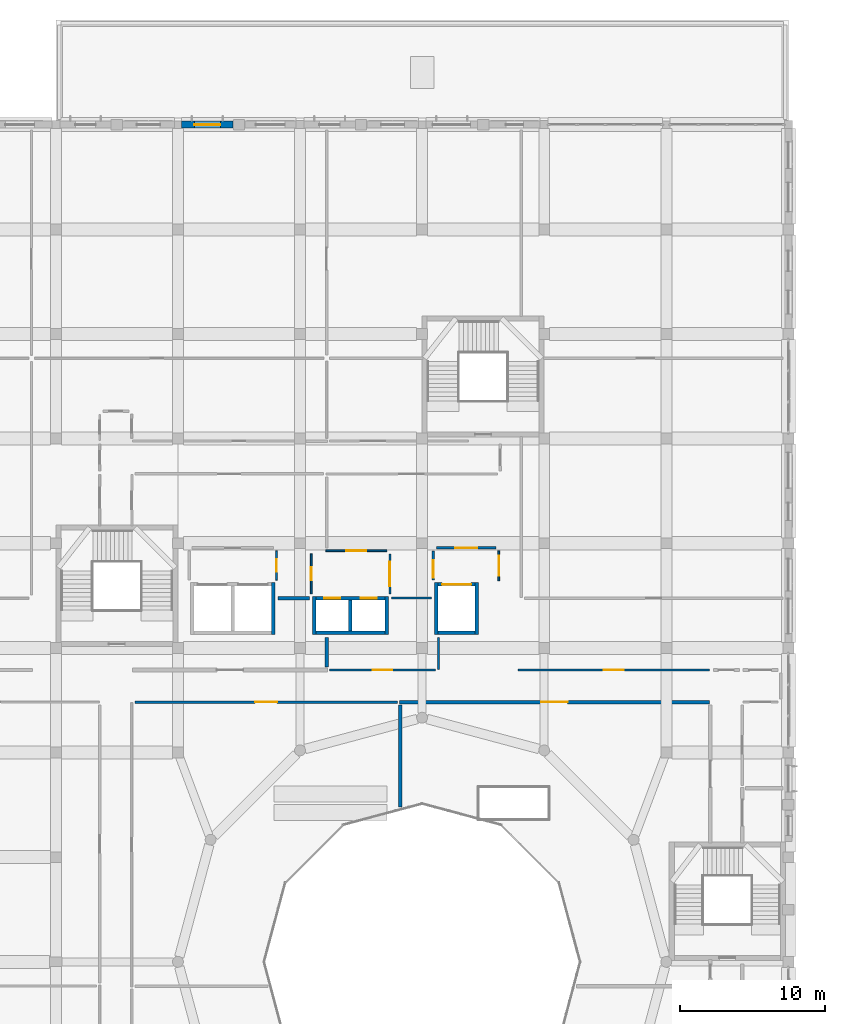
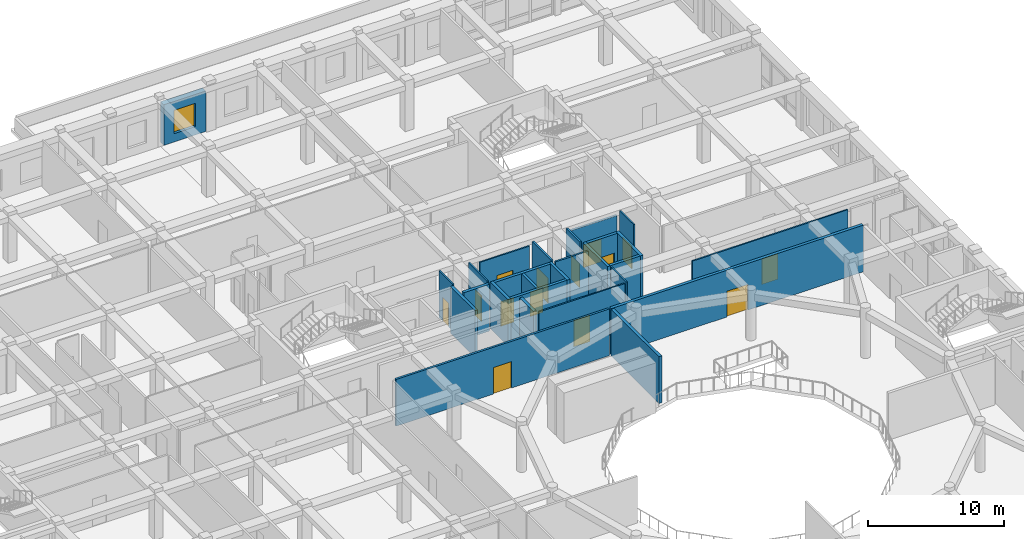
# One storey, part 68 of 111: 27 walls, 14 doors, 1 window, 15 openings.
"""IFC4 building model written with IfcOpenShell, lengths in metres."""

from ifc_helpers import new_model, si_unit, derived_unit, direction, frame, frame_2d, origin, place, context, subcontext, project, spatial, rectangle, extrude, material, layer, layer_set, type_object, element, fill, save


model = new_model("IFC4")

# Units and contexts
model_context = context("Model", 3, precision=1e-05, world=origin(), true_north=direction((0.0, 1.0)))
body_context = subcontext(model_context, "Body", "Model", "MODEL_VIEW")
ifc_project = project(units=[si_unit("LENGTHUNIT", "METRE"), si_unit("AREAUNIT", "SQUARE_METRE"), si_unit("VOLUMEUNIT", "CUBIC_METRE"), si_unit("PLANEANGLEUNIT", "RADIAN"), si_unit("MASSUNIT", "GRAM", prefix="KILO"), derived_unit("THERMALTRANSMITTANCEUNIT", [(si_unit("POWERUNIT", "WATT"), 1), (si_unit("LENGTHUNIT", "METRE"), -2), (si_unit("THERMODYNAMICTEMPERATUREUNIT", "KELVIN"), -1)])], contexts=[model_context])

# Site, building, storey
site_placement = place(None, origin())
site = spatial("IfcSite", under=ifc_project, at=site_placement, CompositionType="ELEMENT")
building_placement = place(site_placement, origin())
building = spatial("IfcBuilding", under=site, at=building_placement, Name="Veybourne Emporium", CompositionType="ELEMENT")
storey_placement = place(building_placement, frame((0.0, 0.0, 9.89990234375)))
storey = spatial("IfcBuildingStorey", under=building, at=storey_placement, Name="L02", CompositionType="ELEMENT", Elevation=9.89990234375)

# Wall, opening, window
ifc_material_1 = material(Name="Portland Limestone Ashlar", Category="masonry")
ifc_layer_1 = layer(ifc_material_1, 0.47998046875)
ifc_layer_set_1 = layer_set([ifc_layer_1], Name="Portland Limestone Ashlar")
wall_type_1 = type_object("IfcWallType", Name="ExtWall_EW-01", PredefinedType="SOLIDWALL", material=ifc_layer_set_1)
wall_1_placement = place(storey_placement, frame((59.050048828125, 108.0, 0.0), z_axis=(0.0, 0.0, 1.0), x_axis=(1.0, 0.0, 0.0)))
wall_1 = element("IfcWall", 1, at=wall_1_placement, inside=storey, type_object=wall_type_1, Name="L02 Portland stone external wall 034A", PredefinedType="SOLIDWALL", context=body_context, shape_type="SweptSolid", body=[
    extrude(rectangle(XDim=3.550048828125, YDim=0.47998046875, at=frame_2d((1.77490234375, 0.0))), origin(), (0.0, 0.0, 1.0), 3.630126953125),
])
opening_1_placement = place(wall_1_placement, frame((0.875, 0.0, 0.75)))
opening_1 = element("IfcOpeningElement", 2, at=opening_1_placement, cuts=wall_1, Name="Opening W-12", PredefinedType="OPENING", context=body_context, shape_type="SweptSolid", body=[
    extrude(rectangle(XDim=1.800048828125, YDim=2.080078125, at=frame_2d((0.89990234375, 1.0400390625))), frame((0.0, 0.260009765625, 0.0), z_axis=(0.0, -1.0, 0.0), x_axis=(1.0, 0.0, 0.0)), (0.0, 0.0, 1.0), 0.52001953125),
])
ifc_material_2 = material(Name="Low-E Triple Glazing", Category="glass")
window_type = type_object("IfcWindowType", Name="Win_W-12", PartitioningType="DOUBLE_PANEL_VERTICAL", PredefinedType="WINDOW", material=ifc_material_2)
window_placement = place(opening_1_placement, origin())
window = element("IfcWindow", 3, at=window_placement, inside=storey, type_object=window_type, Name="L02 tripartite bronze casement window W-12 (34A)", OverallHeight=2.080078125, OverallWidth=1.800048828125, PartitioningType="DOUBLE_PANEL_VERTICAL", PredefinedType="WINDOW", context=body_context, shape_type="SweptSolid", body=[
    extrude(rectangle(XDim=1.800048828125, YDim=2.080078125, at=frame_2d((0.89990234375, 1.0400390625))), frame((0.0, 0.030029296875, 0.0), z_axis=(0.0, -1.0, 0.0), x_axis=(1.0, 0.0, 0.0)), (0.0, 0.0, 1.0), 0.06005859375),
])
fill(opening_1, window)

# Wall, openings, doors
ifc_material_3 = material(Name="Concrete C40/50", Category="concrete")
ifc_layer_2 = layer(ifc_material_3, 0.239990234375)
ifc_layer_set_2 = layer_set([ifc_layer_2], Name="Concrete C40/50")
wall_type_2 = type_object("IfcWallType", Name="IntWall_CW-04", PredefinedType="SHEAR", material=ifc_layer_set_2)
wall_2_placement = place(storey_placement, frame((73.0400390625, 75.419921875, 0.0), z_axis=(0.0, 0.0, 1.0), x_axis=(-1.0, 0.0, 0.0)))
wall_2 = element("IfcWall", 4, at=wall_2_placement, inside=storey, type_object=wall_type_2, Name="Lift core C4P north shaft wall (L02)", PredefinedType="SHEAR", context=body_context, shape_type="SweptSolid", body=[
    extrude(rectangle(XDim=4.739990234375, YDim=0.239990234375, at=frame_2d((2.3701171875, 0.0))), origin(), (0.0, 0.0, 1.0), 4.18017578125),
])
opening_2_placement = place(wall_2_placement, frame((3.06494140625, 0.0, 0.0)))
opening_2 = element("IfcOpeningElement", 5, at=opening_2_placement, cuts=wall_2, Name="Opening LD-01", PredefinedType="OPENING", context=body_context, shape_type="SweptSolid", body=[
    extrude(rectangle(XDim=1.10009765625, YDim=2.199951171875, at=frame_2d((0.550048828125, 1.10009765625))), frame((0.0, 0.14013671875, 0.0), z_axis=(0.0, -1.0, 0.0), x_axis=(1.0, 0.0, 0.0)), (0.0, 0.0, 1.0), 0.280029296875),
])
opening_3_placement = place(wall_2_placement, frame((0.574951171875, 0.0, 0.0)))
opening_3 = element("IfcOpeningElement", 6, at=opening_3_placement, cuts=wall_2, Name="Opening LD-01", PredefinedType="OPENING", context=body_context, shape_type="SweptSolid", body=[
    extrude(rectangle(XDim=1.10009765625, YDim=2.199951171875, at=frame_2d((0.550048828125, 1.10009765625))), frame((0.0, 0.14013671875, 0.0), z_axis=(0.0, -1.0, 0.0), x_axis=(1.0, 0.0, 0.0)), (0.0, 0.0, 1.0), 0.280029296875),
])
ifc_material_4 = material(Name="Patinated Architectural Bronze", Category="bronze")
door_type_1 = type_object("IfcDoorType", Name="FireDoor_LD-01", OperationType="DOUBLE_DOOR_SLIDING", PredefinedType="DOOR", material=ifc_material_4)
door_1_placement = place(opening_2_placement, origin())
door_1 = element("IfcDoor", 7, at=door_1_placement, inside=storey, type_object=door_type_1, Name="Lift PL-05 sliding landing door (L02)", OperationType="DOUBLE_DOOR_SLIDING", OverallHeight=2.199951171875, OverallWidth=1.10009765625, PredefinedType="DOOR", context=body_context, shape_type="SweptSolid", body=[
    extrude(rectangle(XDim=1.10009765625, YDim=2.199951171875, at=frame_2d((0.550048828125, 1.10009765625))), frame((0.0, 0.02490234375, 0.0), z_axis=(0.0, -1.0, 0.0), x_axis=(1.0, 0.0, 0.0)), (0.0, 0.0, 1.0), 0.050048828125),
])
fill(opening_2, door_1)
door_2_placement = place(opening_3_placement, origin())
door_2 = element("IfcDoor", 8, at=door_2_placement, inside=storey, type_object=door_type_1, Name="Lift PL-06 sliding landing door (L02)", OperationType="DOUBLE_DOOR_SLIDING", OverallHeight=2.199951171875, OverallWidth=1.10009765625, PredefinedType="DOOR", context=body_context, shape_type="SweptSolid", body=[
    extrude(rectangle(XDim=1.10009765625, YDim=2.199951171875, at=frame_2d((0.550048828125, 1.10009765625))), frame((0.0, 0.02490234375, 0.0), z_axis=(0.0, -1.0, 0.0), x_axis=(1.0, 0.0, 0.0)), (0.0, 0.0, 1.0), 0.050048828125),
])
fill(opening_3, door_2)

# Walls
wall_3_placement = place(storey_placement, frame((68.300048828125, 73.030029296875, 0.0), z_axis=(0.0, 0.0, 1.0), x_axis=(1.0, 0.0, 0.0)))
element("IfcWall", 9, at=wall_3_placement, inside=storey, type_object=wall_type_2, Name="Lift core C4P south shaft wall (L02)", PredefinedType="SHEAR", context=body_context, shape_type="SweptSolid", body=[
    extrude(rectangle(XDim=4.739990234375, YDim=0.239990234375, at=frame_2d((2.3701171875, 0.0))), origin(), (0.0, 0.0, 1.0), 4.18017578125),
])
for number, where, z_axis, x_axis, name in (
    (10, (68.179931640625, 75.5400390625, 0.0), (0.0, 0.0, 1.0), (0.0, -1.0, 0.0), "Lift core C4P west shaft wall (L02)"),
    (11, (73.159912109375, 72.909912109375, 0.0), (0.0, 0.0, 1.0), (0.0, 1.0, 0.0), "Lift core C4P east shaft wall (L02)"),
):
    element("IfcWall", number, at=place(storey_placement, frame(where, z_axis=z_axis, x_axis=x_axis)), inside=storey, type_object=wall_type_2, Name=name, PredefinedType="SHEAR", context=body_context, shape_type="SweptSolid", body=[
        extrude(rectangle(XDim=2.630126953125, YDim=0.239990234375, at=frame_2d((1.31494140625, 0.0))), origin(), (0.0, 0.0, 1.0), 4.18017578125),
    ])
wall_4_placement = place(storey_placement, frame((70.669921875, 73.14990234375, 0.0), z_axis=(0.0, 0.0, 1.0), x_axis=(0.0, 1.0, 0.0)))
element("IfcWall", 12, at=wall_4_placement, inside=storey, type_object=wall_type_2, Name="Lift core C4P divider wall 1 (L02)", PredefinedType="SHEAR", context=body_context, shape_type="SweptSolid", body=[
    extrude(rectangle(XDim=2.150146484375, YDim=0.239990234375, at=frame_2d((1.0751953125, 0.0))), origin(), (0.0, 0.0, 1.0), 4.18017578125),
])
wall_5_placement = place(storey_placement, frame((65.360107421875, 72.909912109375, 0.0), z_axis=(0.0, 0.0, 1.0), x_axis=(0.0, 1.0, 0.0)))
element("IfcWall", 13, at=wall_5_placement, inside=storey, type_object=wall_type_2, Name="Lift core C4G east shaft wall (L02)", PredefinedType="SHEAR", context=body_context, shape_type="SweptSolid", body=[
    extrude(rectangle(XDim=3.580078125, YDim=0.239990234375, at=frame_2d((1.7900390625, 0.0))), origin(), (0.0, 0.0, 1.0), 4.18017578125),
])

# Wall, opening, door
wall_6_placement = place(storey_placement, frame((79.25, 76.3701171875, 0.0), z_axis=(0.0, 0.0, 1.0), x_axis=(-1.0, 0.0, 0.0)))
wall_6 = element("IfcWall", 14, at=wall_6_placement, inside=storey, type_object=wall_type_2, Name="Lift core C4E north shaft wall (L02)", PredefinedType="SHEAR", context=body_context, shape_type="SweptSolid", body=[
    extrude(rectangle(XDim=2.550048828125, YDim=0.239990234375, at=frame_2d((1.27490234375, 0.0))), origin(), (0.0, 0.0, 1.0), 4.18017578125),
])
opening_4_placement = place(wall_6_placement, frame((0.27490234375, 0.0, 0.0)))
opening_4 = element("IfcOpeningElement", 15, at=opening_4_placement, cuts=wall_6, Name="Opening LD-03", PredefinedType="OPENING", context=body_context, shape_type="SweptSolid", body=[
    extrude(rectangle(XDim=2.0, YDim=2.5, at=frame_2d((1.0, 1.25))), frame((0.0, 0.14013671875, 0.0), z_axis=(0.0, -1.0, 0.0), x_axis=(1.0, 0.0, 0.0)), (0.0, 0.0, 1.0), 0.280029296875),
])
door_type_2 = type_object("IfcDoorType", Name="FireDoor_LD-03", OperationType="DOUBLE_DOOR_SLIDING", PredefinedType="DOOR", material=ifc_material_4)
door_3_placement = place(opening_4_placement, origin())
door_3 = element("IfcDoor", 16, at=door_3_placement, inside=storey, type_object=door_type_2, Name="Lift GL-03 sliding landing door (L02)", OperationType="DOUBLE_DOOR_SLIDING", OverallHeight=2.5, OverallWidth=2.0, PredefinedType="DOOR", context=body_context, shape_type="SweptSolid", body=[
    extrude(rectangle(XDim=2.0, YDim=2.5, at=frame_2d((1.0, 1.25))), frame((0.0, 0.02490234375, 0.0), z_axis=(0.0, -1.0, 0.0), x_axis=(1.0, 0.0, 0.0)), (0.0, 0.0, 1.0), 0.050048828125),
])
fill(opening_4, door_3)

# Walls
wall_7_placement = place(storey_placement, frame((76.699951171875, 73.030029296875, 0.0), z_axis=(0.0, 0.0, 1.0), x_axis=(1.0, 0.0, 0.0)))
element("IfcWall", 17, at=wall_7_placement, inside=storey, type_object=wall_type_2, Name="Lift core C4E south shaft wall (L02)", PredefinedType="SHEAR", context=body_context, shape_type="SweptSolid", body=[
    extrude(rectangle(XDim=2.550048828125, YDim=0.239990234375, at=frame_2d((1.27490234375, 0.0))), origin(), (0.0, 0.0, 1.0), 4.18017578125),
])
for number, where, z_axis, x_axis, name in (
    (18, (76.580078125, 76.489990234375, 0.0), (0.0, 0.0, 1.0), (0.0, -1.0, 0.0), "Lift core C4E west shaft wall (L02)"),
    (19, (79.3701171875, 72.909912109375, 0.0), (0.0, 0.0, 1.0), (0.0, 1.0, 0.0), "Lift core C4E east shaft wall (L02)"),
):
    element("IfcWall", number, at=place(storey_placement, frame(where, z_axis=z_axis, x_axis=x_axis)), inside=storey, type_object=wall_type_2, Name=name, PredefinedType="SHEAR", context=body_context, shape_type="SweptSolid", body=[
        extrude(rectangle(XDim=3.580078125, YDim=0.239990234375, at=frame_2d((1.7900390625, 0.0))), origin(), (0.0, 0.0, 1.0), 4.18017578125),
    ])

# Wall, opening, door
ifc_material_5 = material(Name="Concrete C32/40", Category="concrete")
ifc_layer_3 = layer(ifc_material_5, 0.25)
ifc_layer_set_3 = layer_set([ifc_layer_3], Name="Concrete C32/40")
wall_type_3 = type_object("IfcWallType", Name="IntWall_FW-01", PredefinedType="SOLIDWALL", material=ifc_layer_set_3)
wall_8_placement = place(storey_placement, frame((74.054931640625, 68.27001953125, 0.0), z_axis=(0.0, 0.0, 1.0), x_axis=(1.0, 0.0, 0.0)))
wall_8 = element("IfcWall", 20, at=wall_8_placement, inside=storey, type_object=wall_type_3, Name="L02 interior partition FW-01 #003", PredefinedType="SOLIDWALL", context=body_context, shape_type="SweptSolid", body=[
    extrude(rectangle(XDim=21.315185546875, YDim=0.25, at=frame_2d((10.65771484375, 0.0))), origin(), (0.0, 0.0, 1.0), 4.18017578125),
])
opening_5_placement = place(wall_8_placement, frame((9.757568359375, 0.0, 0.0)))
opening_5 = element("IfcOpeningElement", 21, at=opening_5_placement, cuts=wall_8, Name="Opening FD-03", PredefinedType="OPENING", context=body_context, shape_type="SweptSolid", body=[
    extrude(rectangle(XDim=1.800048828125, YDim=2.300048828125, at=frame_2d((0.89990234375, 1.14990234375))), frame((0.0, 0.14501953125, 0.0), z_axis=(0.0, -1.0, 0.0), x_axis=(1.0, 0.0, 0.0)), (0.0, 0.0, 1.0), 0.2900390625),
])
door_type_3 = type_object("IfcDoorType", Name="FireDoor_FD-03", OperationType="DOUBLE_DOOR_SINGLE_SWING", PredefinedType="DOOR", material=ifc_material_4)
door_4_placement = place(opening_5_placement, origin())
door_4 = element("IfcDoor", 22, at=door_4_placement, inside=storey, type_object=door_type_3, Name="L02 interior door FD-03 (PART-L02-003)", OperationType="DOUBLE_DOOR_SINGLE_SWING", OverallHeight=2.300048828125, OverallWidth=1.800048828125, PredefinedType="DOOR", context=body_context, shape_type="SweptSolid", body=[
    extrude(rectangle(XDim=1.800048828125, YDim=2.300048828125, at=frame_2d((0.89990234375, 1.14990234375))), frame((0.0, 0.02490234375, 0.0), z_axis=(0.0, -1.0, 0.0), x_axis=(1.0, 0.0, 0.0)), (0.0, 0.0, 1.0), 0.050048828125),
])
fill(opening_5, door_4)

# Walls
wall_9_placement = place(storey_placement, frame((74.10498046875, 61.06298828125, 0.0), z_axis=(0.0, 0.0, 1.0), x_axis=(0.0, 1.0, 0.0)))
element("IfcWall", 23, at=wall_9_placement, inside=storey, type_object=wall_type_3, Name="L02 interior partition FW-01 #189", PredefinedType="SOLIDWALL", context=body_context, shape_type="SweptSolid", body=[
    extrude(rectangle(XDim=6.9970703125, YDim=0.25, at=frame_2d((3.49853515625, 0.0))), origin(), (0.0, 0.0, 1.0), 4.18017578125),
])
wall_10_placement = place(storey_placement, frame((65.68994140625, 75.423095703125, 0.0), z_axis=(0.0, 0.0, 1.0), x_axis=(1.0, 0.0, 0.0)))
element("IfcWall", 24, at=wall_10_placement, inside=storey, type_object=wall_type_3, Name="L02 interior partition FW-01 #210", PredefinedType="SOLIDWALL", context=body_context, shape_type="SweptSolid", body=[
    extrude(rectangle(XDim=2.16015625, YDim=0.25, at=frame_2d((1.080078125, 0.0))), origin(), (0.0, 0.0, 1.0), 4.18017578125),
])
wall_11_placement = place(storey_placement, frame((69.030029296875, 70.68994140625, 0.0), z_axis=(0.0, 0.0, 1.0), x_axis=(0.0, 1.0, 0.0)))
element("IfcWall", 25, at=wall_11_placement, inside=storey, type_object=wall_type_3, Name="L02 interior partition FW-01 #213", PredefinedType="SOLIDWALL", context=body_context, shape_type="SweptSolid", body=[
    extrude(rectangle(XDim=2.010009765625, YDim=0.25, at=frame_2d((1.0048828125, 0.0))), origin(), (0.0, 0.0, 1.0), 4.18017578125),
])

# Wall, opening, door
ifc_material_6 = material(Name="Gypsum Acoustic Board", Category="gypsum")
ifc_layer_4 = layer(ifc_material_6, 0.179931640625)
ifc_layer_set_4 = layer_set([ifc_layer_4], Name="Gypsum Acoustic Board")
wall_type_4 = type_object("IfcWallType", Name="IntWall_IW-01", PredefinedType="PARTITIONING", material=ifc_layer_set_4)
wall_12_placement = place(storey_placement, frame((55.840087890625, 68.27001953125, 0.0), z_axis=(0.0, 0.0, 1.0), x_axis=(1.0, 0.0, 0.0)))
wall_12 = element("IfcWall", 26, at=wall_12_placement, inside=storey, type_object=wall_type_4, Name="L02 interior partition IW-01 #009", PredefinedType="PARTITIONING", context=body_context, shape_type="SweptSolid", body=[
    extrude(rectangle(XDim=18.054931640625, YDim=0.179931640625, at=frame_2d((9.02734375, 0.0))), origin(), (0.0, 0.0, 1.0), 4.18017578125),
])
opening_6_placement = place(wall_12_placement, frame((8.267578125, 0.0, 0.0)))
opening_6 = element("IfcOpeningElement", 27, at=opening_6_placement, cuts=wall_12, Name="Opening D-29", PredefinedType="OPENING", context=body_context, shape_type="SweptSolid", body=[
    extrude(rectangle(XDim=1.52001953125, YDim=2.3701171875, at=frame_2d((0.760009765625, 1.18505859375))), frame((0.0, 0.10986328125, 0.0), z_axis=(0.0, -1.0, 0.0), x_axis=(1.0, 0.0, 0.0)), (0.0, 0.0, 1.0), 0.219970703125),
])
ifc_material_7 = material(Name="European Oak Veneer and Bronze", Category="wood")
door_type_4 = type_object("IfcDoorType", Name="IntDoor_D-29", OperationType="NOTDEFINED", PredefinedType="DOOR", material=ifc_material_7)
door_5_placement = place(opening_6_placement, origin())
door_5 = element("IfcDoor", 28, at=door_5_placement, inside=storey, type_object=door_type_4, Name="L02 interior door D-29 (PART-L02-009)", OperationType="SINGLE_SWING_RIGHT", OverallHeight=2.3701171875, OverallWidth=1.52001953125, PredefinedType="DOOR", context=body_context, shape_type="SweptSolid", body=[
    extrude(rectangle(XDim=1.52001953125, YDim=2.3701171875, at=frame_2d((0.760009765625, 1.18505859375))), frame((0.0, 0.02490234375, 0.0), z_axis=(0.0, -1.0, 0.0), x_axis=(1.0, 0.0, 0.0)), (0.0, 0.0, 1.0), 0.050048828125),
])
fill(opening_6, door_5)

wall_13_placement = place(storey_placement, frame((76.580078125, 78.8798828125, 0.0), z_axis=(0.0, 0.0, 1.0), x_axis=(1.0, 0.0, 0.0)))
wall_13 = element("IfcWall", 29, at=wall_13_placement, inside=storey, type_object=wall_type_4, Name="L02 interior partition IW-01 #093", PredefinedType="PARTITIONING", context=body_context, shape_type="SweptSolid", body=[
    extrude(rectangle(XDim=4.08984375, YDim=0.179931640625, at=frame_2d((2.044921875, 0.0))), origin(), (0.0, 0.0, 1.0), 3.72998046875),
])
opening_7_placement = place(wall_13_placement, frame((1.284912109375, 0.0, 0.0)))
opening_7 = element("IfcOpeningElement", 30, at=opening_7_placement, cuts=wall_13, Name="Opening D-05", PredefinedType="OPENING", context=body_context, shape_type="SweptSolid", body=[
    extrude(rectangle(XDim=1.52001953125, YDim=2.050048828125, at=frame_2d((0.760009765625, 1.02490234375))), frame((0.0, 0.10986328125, 0.0), z_axis=(0.0, -1.0, 0.0), x_axis=(1.0, 0.0, 0.0)), (0.0, 0.0, 1.0), 0.219970703125),
])
door_type_5 = type_object("IfcDoorType", Name="IntDoor_D-05", OperationType="NOTDEFINED", PredefinedType="DOOR", material=ifc_material_7)
door_6_placement = place(opening_7_placement, origin())
door_6 = element("IfcDoor", 31, at=door_6_placement, inside=storey, type_object=door_type_5, Name="L02 interior door D-05 (PART-L02-093)", OperationType="SINGLE_SWING_RIGHT", OverallHeight=2.050048828125, OverallWidth=1.52001953125, PredefinedType="DOOR", context=body_context, shape_type="SweptSolid", body=[
    extrude(rectangle(XDim=1.52001953125, YDim=2.050048828125, at=frame_2d((0.760009765625, 1.02490234375))), frame((0.0, 0.02490234375, 0.0), z_axis=(0.0, -1.0, 0.0), x_axis=(1.0, 0.0, 0.0)), (0.0, 0.0, 1.0), 0.050048828125),
])
fill(opening_7, door_6)

ifc_layer_5 = layer(ifc_material_6, 0.14990234375)
ifc_layer_set_5 = layer_set([ifc_layer_5], Name="Gypsum Acoustic Board")
wall_type_5 = type_object("IfcWallType", Name="IntWall_IW-02", PredefinedType="PARTITIONING", material=ifc_layer_set_5)
wall_14_placement = place(storey_placement, frame((73.3798828125, 75.715087890625, 0.0), z_axis=(0.0, 0.0, 1.0), x_axis=(0.0, 1.0, 0.0)))
wall_14 = element("IfcWall", 32, at=wall_14_placement, inside=storey, type_object=wall_type_5, Name="L02 interior partition IW-02 #106", PredefinedType="PARTITIONING", context=body_context, shape_type="SweptSolid", body=[
    extrude(rectangle(XDim=2.7548828125, YDim=0.14990234375, at=frame_2d((1.37744140625, 0.0))), origin(), (0.0, 0.0, 1.0), 4.18017578125),
])
opening_8_placement = place(wall_14_placement, frame((0.53759765625, 0.0, 0.0)))
opening_8 = element("IfcOpeningElement", 33, at=opening_8_placement, cuts=wall_14, Name="Opening D-18", PredefinedType="OPENING", context=body_context, shape_type="SweptSolid", body=[
    extrude(rectangle(XDim=1.679931640625, YDim=2.2099609375, at=frame_2d((0.83984375, 1.10498046875))), frame((0.0, 0.094970703125, 0.0), z_axis=(0.0, -1.0, 0.0), x_axis=(1.0, 0.0, 0.0)), (0.0, 0.0, 1.0), 0.18994140625),
])
door_type_6 = type_object("IfcDoorType", Name="IntDoor_D-18", OperationType="DOUBLE_DOOR_SINGLE_SWING", PredefinedType="DOOR", material=ifc_material_7)
door_7_placement = place(opening_8_placement, origin())
door_7 = element("IfcDoor", 34, at=door_7_placement, inside=storey, type_object=door_type_6, Name="L02 interior door D-18 (PART-L02-106)", OperationType="DOUBLE_DOOR_SINGLE_SWING", OverallHeight=2.2099609375, OverallWidth=1.679931640625, PredefinedType="DOOR", context=body_context, shape_type="SweptSolid", body=[
    extrude(rectangle(XDim=1.679931640625, YDim=2.2099609375, at=frame_2d((0.83984375, 1.10498046875))), frame((0.0, 0.02490234375, 0.0), z_axis=(0.0, -1.0, 0.0), x_axis=(1.0, 0.0, 0.0)), (0.0, 0.0, 1.0), 0.050048828125),
])
fill(opening_8, door_7)

wall_15_placement = place(storey_placement, frame((76.3701171875, 76.672119140625, 0.0), z_axis=(0.0, 0.0, 1.0), x_axis=(0.0, 1.0, 0.0)))
wall_15 = element("IfcWall", 35, at=wall_15_placement, inside=storey, type_object=wall_type_5, Name="L02 interior partition IW-02 #133", PredefinedType="PARTITIONING", context=body_context, shape_type="SweptSolid", body=[
    extrude(rectangle(XDim=1.997802734375, YDim=0.14990234375, at=frame_2d((0.9990234375, 0.0))), origin(), (0.0, 0.0, 1.0), 4.18017578125),
])
opening_9_placement = place(wall_15_placement, frame((0.1435546875, 0.0, 0.0)))
opening_9 = element("IfcOpeningElement", 36, at=opening_9_placement, cuts=wall_15, Name="Opening D-09", PredefinedType="OPENING", context=body_context, shape_type="SweptSolid", body=[
    extrude(rectangle(XDim=1.199951171875, YDim=2.1298828125, at=frame_2d((0.60009765625, 1.06494140625))), frame((0.0, 0.094970703125, 0.0), z_axis=(0.0, -1.0, 0.0), x_axis=(1.0, 0.0, 0.0)), (0.0, 0.0, 1.0), 0.18994140625),
])
door_type_7 = type_object("IfcDoorType", Name="IntDoor_D-09", OperationType="NOTDEFINED", PredefinedType="DOOR", material=ifc_material_7)
door_8_placement = place(opening_9_placement, origin())
door_8 = element("IfcDoor", 37, at=door_8_placement, inside=storey, type_object=door_type_7, Name="L02 interior door D-09 (PART-L02-133)", OperationType="SINGLE_SWING_LEFT", OverallHeight=2.1298828125, OverallWidth=1.199951171875, PredefinedType="DOOR", context=body_context, shape_type="SweptSolid", body=[
    extrude(rectangle(XDim=1.199951171875, YDim=2.1298828125, at=frame_2d((0.60009765625, 1.06494140625))), frame((0.0, 0.02490234375, 0.0), z_axis=(0.0, -1.0, 0.0), x_axis=(1.0, 0.0, 0.0)), (0.0, 0.0, 1.0), 0.050048828125),
])
fill(opening_9, door_8)

# Wall
wall_16_placement = place(storey_placement, frame((73.489990234375, 75.423095703125, 0.0), z_axis=(0.0, 0.0, 1.0), x_axis=(1.0, 0.0, 0.0)))
element("IfcWall", 38, at=wall_16_placement, inside=storey, type_object=wall_type_5, Name="L02 interior partition IW-02 #199", PredefinedType="PARTITIONING", context=body_context, shape_type="SweptSolid", body=[
    extrude(rectangle(XDim=2.760009765625, YDim=0.14990234375, at=frame_2d((1.3798828125, 0.0))), origin(), (0.0, 0.0, 1.0), 4.18017578125),
])

# Wall, opening, door
ifc_layer_6 = layer(ifc_material_6, 0.1201171875)
ifc_layer_set_6 = layer_set([ifc_layer_6], Name="Gypsum Acoustic Board")
wall_type_6 = type_object("IfcWallType", Name="IntWall_IW-03", PredefinedType="PARTITIONING", material=ifc_layer_set_6)
wall_17_placement = place(storey_placement, frame((82.2099609375, 70.47998046875, 0.0), z_axis=(0.0, 0.0, 1.0), x_axis=(1.0, 0.0, 0.0)))
wall_17 = element("IfcWall", 39, at=wall_17_placement, inside=storey, type_object=wall_type_6, Name="L02 interior partition IW-03 #038", PredefinedType="PARTITIONING", context=body_context, shape_type="SweptSolid", body=[
    extrude(rectangle(XDim=13.16015625, YDim=0.1201171875, at=frame_2d((6.580078125, 0.0))), origin(), (0.0, 0.0, 1.0), 4.18017578125),
])
opening_10_placement = place(wall_17_placement, frame((5.89990234375, 0.0, 0.0)))
opening_10 = element("IfcOpeningElement", 40, at=opening_10_placement, cuts=wall_17, Name="Opening D-22", PredefinedType="OPENING", context=body_context, shape_type="SweptSolid", body=[
    extrude(rectangle(XDim=1.360107421875, YDim=2.2900390625, at=frame_2d((0.68017578125, 1.14501953125))), frame((0.0, 0.080078125, 0.0), z_axis=(0.0, -1.0, 0.0), x_axis=(1.0, 0.0, 0.0)), (0.0, 0.0, 1.0), 0.16015625),
])
door_type_8 = type_object("IfcDoorType", Name="IntDoor_D-22", OperationType="NOTDEFINED", PredefinedType="DOOR", material=ifc_material_7)
door_9_placement = place(opening_10_placement, origin())
door_9 = element("IfcDoor", 41, at=door_9_placement, inside=storey, type_object=door_type_8, Name="L02 interior door D-22 (PART-L02-038)", OperationType="SINGLE_SWING_LEFT", OverallHeight=2.2900390625, OverallWidth=1.360107421875, PredefinedType="DOOR", context=body_context, shape_type="SweptSolid", body=[
    extrude(rectangle(XDim=1.360107421875, YDim=2.2900390625, at=frame_2d((0.68017578125, 1.14501953125))), frame((0.0, 0.02490234375, 0.0), z_axis=(0.0, -1.0, 0.0), x_axis=(1.0, 0.0, 0.0)), (0.0, 0.0, 1.0), 0.050048828125),
])
fill(opening_10, door_9)

wall_18_placement = place(storey_placement, frame((69.239990234375, 70.47998046875, 0.0), z_axis=(0.0, 0.0, 1.0), x_axis=(1.0, 0.0, 0.0)))
wall_18 = element("IfcWall", 42, at=wall_18_placement, inside=storey, type_object=wall_type_6, Name="L02 interior partition IW-03 #080", PredefinedType="PARTITIONING", context=body_context, shape_type="SweptSolid", body=[
    extrude(rectangle(XDim=7.27001953125, YDim=0.1201171875, at=frame_2d((3.635009765625, 0.0))), origin(), (0.0, 0.0, 1.0), 4.18017578125),
])
opening_11_placement = place(wall_18_placement, frame((2.955078125, 0.0, 0.0)))
opening_11 = element("IfcOpeningElement", 43, at=opening_11_placement, cuts=wall_18, Name="Opening D-28", PredefinedType="OPENING", context=body_context, shape_type="SweptSolid", body=[
    extrude(rectangle(XDim=1.360107421875, YDim=2.3701171875, at=frame_2d((0.68017578125, 1.18505859375))), frame((0.0, 0.080078125, 0.0), z_axis=(0.0, -1.0, 0.0), x_axis=(1.0, 0.0, 0.0)), (0.0, 0.0, 1.0), 0.16015625),
])
door_type_9 = type_object("IfcDoorType", Name="IntDoor_D-28", OperationType="NOTDEFINED", PredefinedType="DOOR", material=ifc_material_7)
door_10_placement = place(opening_11_placement, origin())
door_10 = element("IfcDoor", 44, at=door_10_placement, inside=storey, type_object=door_type_9, Name="L02 interior door D-28 (PART-L02-080)", OperationType="SINGLE_SWING_RIGHT", OverallHeight=2.3701171875, OverallWidth=1.360107421875, PredefinedType="DOOR", context=body_context, shape_type="SweptSolid", body=[
    extrude(rectangle(XDim=1.360107421875, YDim=2.3701171875, at=frame_2d((0.68017578125, 1.18505859375))), frame((0.0, 0.02490234375, 0.0), z_axis=(0.0, -1.0, 0.0), x_axis=(1.0, 0.0, 0.0)), (0.0, 0.0, 1.0), 0.050048828125),
])
fill(opening_11, door_10)

wall_19_placement = place(storey_placement, frame((68.97998046875, 78.679931640625, 0.0), z_axis=(0.0, 0.0, 1.0), x_axis=(1.0, 0.0, 0.0)))
wall_19 = element("IfcWall", 45, at=wall_19_placement, inside=storey, type_object=wall_type_6, Name="L02 interior partition IW-03 #092", PredefinedType="PARTITIONING", context=body_context, shape_type="SweptSolid", body=[
    extrude(rectangle(XDim=4.18994140625, YDim=0.1201171875, at=frame_2d((2.094970703125, 0.0))), origin(), (0.0, 0.0, 1.0), 3.72998046875),
])
opening_12_placement = place(wall_19_placement, frame((1.4150390625, 0.0, 0.0)))
opening_12 = element("IfcOpeningElement", 46, at=opening_12_placement, cuts=wall_19, Name="Opening D-04", PredefinedType="OPENING", context=body_context, shape_type="SweptSolid", body=[
    extrude(rectangle(XDim=1.360107421875, YDim=2.050048828125, at=frame_2d((0.68017578125, 1.02490234375))), frame((0.0, 0.080078125, 0.0), z_axis=(0.0, -1.0, 0.0), x_axis=(1.0, 0.0, 0.0)), (0.0, 0.0, 1.0), 0.16015625),
])
door_type_10 = type_object("IfcDoorType", Name="IntDoor_D-04", OperationType="NOTDEFINED", PredefinedType="DOOR", material=ifc_material_7)
door_11_placement = place(opening_12_placement, origin())
door_11 = element("IfcDoor", 47, at=door_11_placement, inside=storey, type_object=door_type_10, Name="L02 interior door D-04 (PART-L02-092)", OperationType="SINGLE_SWING_LEFT", OverallHeight=2.050048828125, OverallWidth=1.360107421875, PredefinedType="DOOR", context=body_context, shape_type="SweptSolid", body=[
    extrude(rectangle(XDim=1.360107421875, YDim=2.050048828125, at=frame_2d((0.68017578125, 1.02490234375))), frame((0.0, 0.02490234375, 0.0), z_axis=(0.0, -1.0, 0.0), x_axis=(1.0, 0.0, 0.0)), (0.0, 0.0, 1.0), 0.050048828125),
])
fill(opening_12, door_11)

wall_20_placement = place(storey_placement, frame((67.969970703125, 75.721923828125, 0.0), z_axis=(0.0, 0.0, 1.0), x_axis=(0.0, 1.0, 0.0)))
wall_20 = element("IfcWall", 48, at=wall_20_placement, inside=storey, type_object=wall_type_6, Name="L02 interior partition IW-03 #107", PredefinedType="PARTITIONING", context=body_context, shape_type="SweptSolid", body=[
    extrude(rectangle(XDim=2.748046875, YDim=0.1201171875, at=frame_2d((1.3740234375, 0.0))), origin(), (0.0, 0.0, 1.0), 4.18017578125),
])
opening_13_placement = place(wall_20_placement, frame((0.93408203125, 0.0, 0.0)))
opening_13 = element("IfcOpeningElement", 49, at=opening_13_placement, cuts=wall_20, Name="Opening D-19", PredefinedType="OPENING", context=body_context, shape_type="SweptSolid", body=[
    extrude(rectangle(XDim=0.8798828125, YDim=2.2900390625, at=frame_2d((0.43994140625, 1.14501953125))), frame((0.0, 0.080078125, 0.0), z_axis=(0.0, -1.0, 0.0), x_axis=(1.0, 0.0, 0.0)), (0.0, 0.0, 1.0), 0.16015625),
])
door_type_11 = type_object("IfcDoorType", Name="IntDoor_D-19", OperationType="NOTDEFINED", PredefinedType="DOOR", material=ifc_material_7)
door_12_placement = place(opening_13_placement, origin())
door_12 = element("IfcDoor", 50, at=door_12_placement, inside=storey, type_object=door_type_11, Name="L02 interior door D-19 (PART-L02-107)", OperationType="SINGLE_SWING_LEFT", OverallHeight=2.2900390625, OverallWidth=0.8798828125, PredefinedType="DOOR", context=body_context, shape_type="SweptSolid", body=[
    extrude(rectangle(XDim=0.8798828125, YDim=2.2900390625, at=frame_2d((0.43994140625, 1.14501953125))), frame((0.0, 0.02490234375, 0.0), z_axis=(0.0, -1.0, 0.0), x_axis=(1.0, 0.0, 0.0)), (0.0, 0.0, 1.0), 0.050048828125),
])
fill(opening_13, door_12)

# Wall
wall_21_placement = place(storey_placement, frame((76.719970703125, 70.530029296875, 0.0), z_axis=(0.0, 0.0, 1.0), x_axis=(0.0, 1.0, 0.0)))
element("IfcWall", 51, at=wall_21_placement, inside=storey, type_object=wall_type_6, Name="L02 interior partition IW-03 #125", PredefinedType="PARTITIONING", context=body_context, shape_type="SweptSolid", body=[
    extrude(rectangle(XDim=2.169921875, YDim=0.1201171875, at=frame_2d((1.0849609375, 0.0))), origin(), (0.0, 0.0, 1.0), 4.18017578125),
])

# Wall, opening, door
wall_22_placement = place(storey_placement, frame((80.8798828125, 76.6201171875, 0.0), z_axis=(0.0, 0.0, 1.0), x_axis=(0.0, 1.0, 0.0)))
wall_22 = element("IfcWall", 52, at=wall_22_placement, inside=storey, type_object=wall_type_6, Name="L02 interior partition IW-03 #128", PredefinedType="PARTITIONING", context=body_context, shape_type="SweptSolid", body=[
    extrude(rectangle(XDim=2.0498046875, YDim=0.1201171875, at=frame_2d((1.02490234375, 0.0))), origin(), (0.0, 0.0, 1.0), 4.18017578125),
])
opening_14_placement = place(wall_22_placement, frame((0.344970703125, 0.0, 0.0)))
opening_14 = element("IfcOpeningElement", 53, at=opening_14_placement, cuts=wall_22, Name="Opening D-04", PredefinedType="OPENING", context=body_context, shape_type="SweptSolid", body=[
    extrude(rectangle(XDim=1.360107421875, YDim=2.050048828125, at=frame_2d((0.68017578125, 1.02490234375))), frame((0.0, 0.080078125, 0.0), z_axis=(0.0, -1.0, 0.0), x_axis=(1.0, 0.0, 0.0)), (0.0, 0.0, 1.0), 0.16015625),
])
door_13_placement = place(opening_14_placement, origin())
door_13 = element("IfcDoor", 54, at=door_13_placement, inside=storey, type_object=door_type_10, Name="L02 interior door D-04 (PART-L02-128)", OperationType="SINGLE_SWING_LEFT", OverallHeight=2.050048828125, OverallWidth=1.360107421875, PredefinedType="DOOR", context=body_context, shape_type="SweptSolid", body=[
    extrude(rectangle(XDim=1.360107421875, YDim=2.050048828125, at=frame_2d((0.68017578125, 1.02490234375))), frame((0.0, 0.02490234375, 0.0), z_axis=(0.0, -1.0, 0.0), x_axis=(1.0, 0.0, 0.0)), (0.0, 0.0, 1.0), 0.050048828125),
])
fill(opening_14, door_13)

wall_23_placement = place(storey_placement, frame((65.580078125, 76.6650390625, 0.0), z_axis=(0.0, 0.0, 1.0), x_axis=(0.0, 1.0, 0.0)))
wall_23 = element("IfcWall", 55, at=wall_23_placement, inside=storey, type_object=wall_type_6, Name="L02 interior partition IW-03 #131", PredefinedType="PARTITIONING", context=body_context, shape_type="SweptSolid", body=[
    extrude(rectangle(XDim=2.0048828125, YDim=0.1201171875, at=frame_2d((1.00244140625, 0.0))), origin(), (0.0, 0.0, 1.0), 4.18017578125),
])
opening_15_placement = place(wall_23_placement, frame((0.5625, 0.0, 0.0)))
opening_15 = element("IfcOpeningElement", 56, at=opening_15_placement, cuts=wall_23, Name="Opening D-07", PredefinedType="OPENING", context=body_context, shape_type="SweptSolid", body=[
    extrude(rectangle(XDim=0.8798828125, YDim=2.1298828125, at=frame_2d((0.43994140625, 1.06494140625))), frame((0.0, 0.080078125, 0.0), z_axis=(0.0, -1.0, 0.0), x_axis=(1.0, 0.0, 0.0)), (0.0, 0.0, 1.0), 0.16015625),
])
door_type_12 = type_object("IfcDoorType", Name="IntDoor_D-07", OperationType="NOTDEFINED", PredefinedType="DOOR", material=ifc_material_7)
door_14_placement = place(opening_15_placement, origin())
door_14 = element("IfcDoor", 57, at=door_14_placement, inside=storey, type_object=door_type_12, Name="L02 interior door D-07 (PART-L02-131)", OperationType="SINGLE_SWING_RIGHT", OverallHeight=2.1298828125, OverallWidth=0.8798828125, PredefinedType="DOOR", context=body_context, shape_type="SweptSolid", body=[
    extrude(rectangle(XDim=0.8798828125, YDim=2.1298828125, at=frame_2d((0.43994140625, 1.06494140625))), frame((0.0, 0.02490234375, 0.0), z_axis=(0.0, -1.0, 0.0), x_axis=(1.0, 0.0, 0.0)), (0.0, 0.0, 1.0), 0.050048828125),
])
fill(opening_15, door_14)

save(model, "model.ifc")
